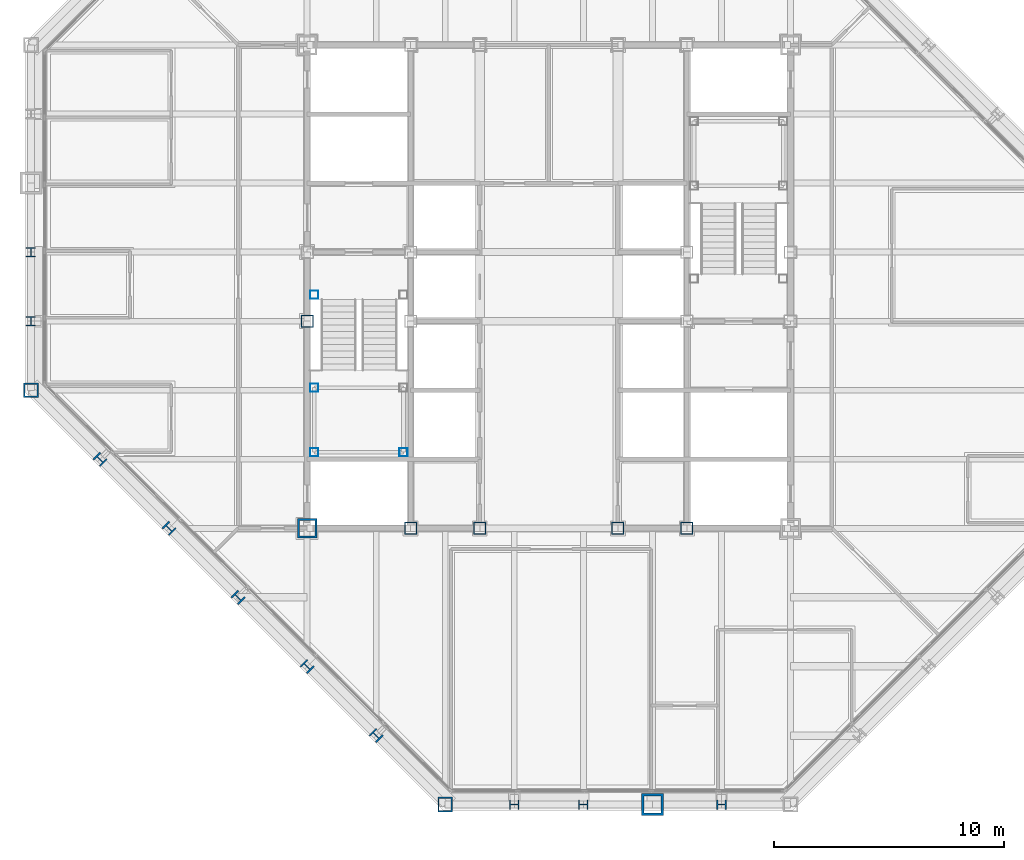
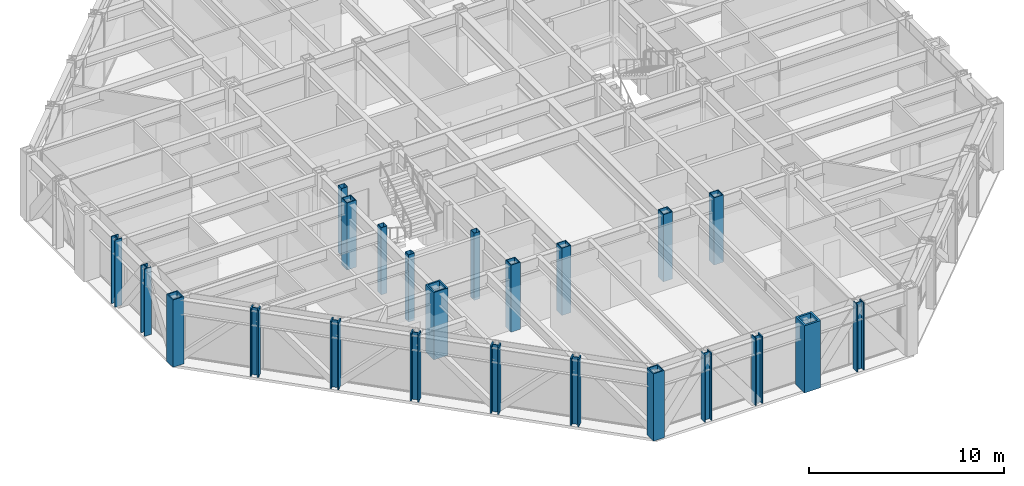
# One storey, part 1 of 16: 23 columns.
"""IFC4 building model written with IfcOpenShell, lengths in metres."""

import ifcopenshell
import ifcopenshell.guid

model = None  # the IFC model being written
_history = None  # IfcOwnerHistory: only IFC2X3 demands one
_inside = {}  # id of a spatial element -> (the spatial element, [elements in it])
_under = {}  # id of a project, library or spatial element -> (it, [spatial elements below it])
_declared = {}  # id of a project -> (the project, [libraries it declares])
_typed = {}  # id of a type object -> (the type object, [elements of that type])
_made_of = {}  # id of a material, layer set ... -> (it, [elements and type objects made of it])


def new_model(schema):
    """Start an empty IFC model of exactly this schema.

    Asked for "IFC4X3", IfcOpenShell would pick the latest addendum, in which some entities
    have other attributes; the version numbers below select the first issue.
    IFC2X3 requires an IfcOwnerHistory on every rooted entity: one is made here for all.
    """
    global model, _history
    if schema == "IFC4X3":
        model = ifcopenshell.file(schema_version=(4, 3, 0, 0))
    else:
        model = ifcopenshell.file(schema=schema)
    _inside.clear()
    _under.clear()
    _declared.clear()
    _typed.clear()
    _made_of.clear()
    _history = None
    if model.schema == "IFC2X3":
        org = make("IfcOrganization", Name="unknown")
        user = make(
            "IfcPersonAndOrganization",
            ThePerson=make("IfcPerson", FamilyName="unknown"),
            TheOrganization=org,
        )
        app = make(
            "IfcApplication",
            ApplicationDeveloper=org,
            Version="unknown",
            ApplicationFullName="unknown",
            ApplicationIdentifier="unknown",
        )
        _history = make(
            "IfcOwnerHistory",
            OwningUser=user,
            OwningApplication=app,
            ChangeAction="ADDED",
            CreationDate=0,
        )
    return model


def make(cls, **values):
    """One entity of the class cls with the attributes given. An attribute that is None is left unset."""
    return model.create_entity(
        cls, **{name: value for name, value in values.items() if value is not None}
    )


def rooted(cls, **values):
    """An entity with a GlobalId (a new one), such as an element, a storey or a relation."""
    return make(cls, GlobalId=ifcopenshell.guid.new(), OwnerHistory=_history, **values)


def si_unit(unit_type, name, prefix=None):
    """IfcSIUnit, for example si_unit("LENGTHUNIT", "METRE", prefix="MILLI")."""
    return make("IfcSIUnit", UnitType=unit_type, Prefix=prefix, Name=name)


def assignment(units):
    """IfcUnitAssignment: the units of a project."""
    return None if units is None else make("IfcUnitAssignment", Units=units)


def point(xyz):
    """IfcCartesianPoint."""
    return None if xyz is None else make("IfcCartesianPoint", Coordinates=xyz)


def direction(xyz):
    """IfcDirection."""
    return None if xyz is None else make("IfcDirection", DirectionRatios=xyz)


def frame(location, z_axis=None, x_axis=None):
    """IfcAxis2Placement3D, a coordinate frame: its origin and axes. An axis left out is left unset."""
    return make(
        "IfcAxis2Placement3D",
        Location=point(location),
        Axis=direction(z_axis),
        RefDirection=direction(x_axis),
    )


def frame_2d(location, x_axis=None):
    """IfcAxis2Placement2D, a coordinate frame in the plane: its origin and x axis."""
    return make(
        "IfcAxis2Placement2D", Location=point(location), RefDirection=direction(x_axis)
    )


def origin():
    """The frame at (0, 0, 0) with its axes left unset."""
    return frame((0.0, 0.0, 0.0))


def origin_2d():
    """The frame at (0, 0) in the plane with its x axis left unset."""
    return frame_2d((0.0, 0.0))


def place(relative_to, where):
    """IfcLocalPlacement: puts the frame where relative to a parent placement (None: the world)."""
    return make(
        "IfcLocalPlacement", PlacementRelTo=relative_to, RelativePlacement=where
    )


def context(
    kind, dimensions, precision=None, world=None, true_north=None, identifier=None
):
    """IfcGeometricRepresentationContext, for example the 3D "Model" context."""
    return make(
        "IfcGeometricRepresentationContext",
        ContextIdentifier=identifier,
        ContextType=kind,
        CoordinateSpaceDimension=dimensions,
        Precision=precision,
        WorldCoordinateSystem=world,
        TrueNorth=true_north,
    )


def subcontext(parent, identifier, kind, view, scale=None):
    """IfcGeometricRepresentationSubContext, for example "Body" below "Model"."""
    return make(
        "IfcGeometricRepresentationSubContext",
        ContextIdentifier=identifier,
        ContextType=kind,
        ParentContext=parent,
        TargetScale=scale,
        TargetView=view,
    )


def project(units=None, contexts=None):
    """IfcProject with its units and contexts."""
    return rooted(
        "IfcProject",
        Name="project",
        RepresentationContexts=contexts,
        UnitsInContext=assignment(units),
    )


def spatial(cls, under=None, at=None, **own):
    """A site, building, storey or space (cls), placed at a placement, below another one or the project."""
    s = rooted(cls, ObjectPlacement=at, **own)
    if under is not None:
        _under.setdefault(under.id(), (under, []))[1].append(s)
    return s


def profile(cls, at=None, kind="AREA", **sizes):
    """A parametric profile (cls). Its sizes go by their IFC names, for example OverallWidth=200.0."""
    return make(cls, ProfileType=kind, Position=at, **sizes)


def hollow_rectangle(**sizes):
    """IfcRectangleHollowProfileDef."""
    return profile("IfcRectangleHollowProfileDef", **sizes)


def i_section(**sizes):
    """IfcIShapeProfileDef."""
    return profile("IfcIShapeProfileDef", **sizes)


def extrude(swept, where, along, depth):
    """IfcExtrudedAreaSolid: the profile swept, set in the frame where, extruded along a direction by depth."""
    return make(
        "IfcExtrudedAreaSolid",
        SweptArea=swept,
        Position=where,
        ExtrudedDirection=direction(along),
        Depth=depth,
    )


def shape(context_of_items, identifier, shape_type, items):
    """IfcShapeRepresentation: the items that make up one representation, for example the "Body"."""
    return make(
        "IfcShapeRepresentation",
        ContextOfItems=context_of_items,
        RepresentationIdentifier=identifier,
        RepresentationType=shape_type,
        Items=items,
    )


def material(Name=None, Category=None):
    """IfcMaterial."""
    return make("IfcMaterial", Name=Name, Category=Category)


def material_profile(
    of_material, cross_section, Name=None, Category=None, Priority=None
):
    """IfcMaterialProfile: a cross section and its material."""
    return make(
        "IfcMaterialProfile",
        Name=Name,
        Material=of_material,
        Profile=cross_section,
        Priority=Priority,
        Category=Category,
    )


def profile_set(profiles, Name=None, composite=None):
    """IfcMaterialProfileSet."""
    return make(
        "IfcMaterialProfileSet",
        Name=Name,
        MaterialProfiles=profiles,
        CompositeProfile=composite,
    )


def made_of(thing, what):
    """Note that an element or type object is made of a material, layer set ...; save() writes the relation."""
    if what is not None:
        _made_of.setdefault(what.id(), (what, []))[1].append(thing)
    return thing


def type_object(cls, material=None, **own):
    """A type object (cls), such as IfcWallType, which elements share."""
    return made_of(rooted(cls, **own), material)


def element(
    cls,
    number,
    at=None,
    inside=None,
    cuts=None,
    type_object=None,
    material=None,
    context=None,
    identifier="Body",
    shape_type=None,
    held_by="IfcProductDefinitionShape",
    body=None,
    shapes=None,
    **own,
):
    """One element of the class cls, such as IfcWall. Its Tag is "e" and its number.

    at: its placement. inside: the storey or other place that contains it. cuts: it is an
    opening in that element (IfcRelVoidsElement). A single representation is given by context,
    identifier, shape_type and body (its items); several are given by shapes. held_by: the class
    of the entity that holds the representations. save() writes the other relations.
    """
    e = rooted(cls, Tag="e%d" % number, ObjectPlacement=at, **own)
    if body is not None:
        shapes = [shape(context, identifier, shape_type, body)]
    if shapes is not None:
        e.Representation = make(held_by, Representations=shapes)
    if inside is not None:
        _inside.setdefault(inside.id(), (inside, []))[1].append(e)
    if cuts is not None:
        rooted(
            "IfcRelVoidsElement", RelatingBuildingElement=cuts, RelatedOpeningElement=e
        )
    if type_object is not None:
        _typed.setdefault(type_object.id(), (type_object, []))[1].append(e)
    return made_of(e, material)


def aggregate(whole, parts):
    """IfcRelAggregates: a whole, such as a stair, and the parts it consists of."""
    return rooted("IfcRelAggregates", RelatingObject=whole, RelatedObjects=parts)


def save(model, path):
    """Write the relations noted so far, then the file.

    IfcRelAggregates (storeys below a building ...), IfcRelContainedInSpatialStructure (elements
    in a storey), IfcRelDefinesByType, IfcRelAssociatesMaterial and IfcRelDeclares: one each for
    every whole, place, type object, material and project.
    """
    for whole, parts in _under.values():
        aggregate(whole, parts)
    for where, things in _inside.values():
        rooted(
            "IfcRelContainedInSpatialStructure",
            RelatedElements=things,
            RelatingStructure=where,
        )
    for kind, things in _typed.values():
        rooted("IfcRelDefinesByType", RelatedObjects=things, RelatingType=kind)
    for what, things in _made_of.values():
        rooted("IfcRelAssociatesMaterial", RelatedObjects=things, RelatingMaterial=what)
    for by, libraries in _declared.values():
        rooted("IfcRelDeclares", RelatingContext=by, RelatedDefinitions=libraries)
    model.write(path)


model = new_model("IFC4")

# Units and contexts
model_context = context("Model", 3, precision=1e-05, world=origin(), true_north=direction((0.0, 1.0)))
body_context = subcontext(model_context, "Body", "Model", "MODEL_VIEW")
ifc_project = project(units=[si_unit("LENGTHUNIT", "METRE"), si_unit("AREAUNIT", "SQUARE_METRE"), si_unit("VOLUMEUNIT", "CUBIC_METRE"), si_unit("PLANEANGLEUNIT", "RADIAN"), si_unit("MASSUNIT", "GRAM", prefix="KILO")], contexts=[model_context])

# Site, building, storey
site_placement = place(None, origin())
site = spatial("IfcSite", under=ifc_project, at=site_placement, CompositionType="ELEMENT")
building_placement = place(site_placement, origin())
building = spatial("IfcBuilding", under=site, at=building_placement, Name="Chuquiago Exchange Tower", CompositionType="ELEMENT")
storey_placement = place(building_placement, frame((0.0, 0.0, 239.10009765625)))
storey = spatial("IfcBuildingStorey", under=building, at=storey_placement, Name="L53", CompositionType="ELEMENT", Elevation=239.10009765625)

# Columns
ifc_material_1 = material(Name="Steel ASTM A992", Category="steel")
ifc_material_profile_1 = material_profile(ifc_material_1, i_section(OverallWidth=0.408935546875, OverallDepth=0.424072265625, WebThickness=0.03271484375, FlangeThickness=0.052490234375, at=origin_2d()), Name="W14X283")
ifc_profile_set_1 = profile_set([ifc_material_profile_1], Name="Steel ASTM A992")
column_type_1 = type_object("IfcColumnType", Name="C8 W14X283", PredefinedType="COLUMN", material=ifc_profile_set_1)
for number, where, z_axis, x_axis, name in (
    (1, (21.0, 0.0, 0.0), (0.0, 0.0, 1.0), (0.0, -1.0, 0.0), "COL-L53-21_0"),
    (2, (24.0, 0.0, 0.0), (0.0, 0.0, 1.0), (0.0, -1.0, 0.0), "COL-L53-24_0"),
    (3, (30.0, 0.0, 0.0), (0.0, 0.0, 1.0), (0.0, -1.0, 0.0), "COL-L53-30_0"),
    (4, (0.0, 24.0, 0.0), (0.0, 0.0, 1.0), (-1.0, 0.0, 0.0), "COL-L53-0_24"),
    (5, (0.0, 21.0, 0.0), (0.0, 0.0, 1.0), (-1.0, 0.0, 0.0), "COL-L53-0_21"),
):
    element("IfcColumn", number, at=place(storey_placement, frame(where, z_axis=z_axis, x_axis=x_axis)), inside=storey, type_object=column_type_1, Name=name, PredefinedType="COLUMN", context=body_context, shape_type="SweptSolid", body=[
        extrude(i_section(OverallWidth=0.408935546875, OverallDepth=0.424072265625, WebThickness=0.03271484375, FlangeThickness=0.052490234375, at=origin_2d()), origin(), (0.0, 0.0, 1.0), 4.199951171875),
    ])
ifc_material_2 = material(Name="Steel ASTM A572 Grade 50", Category="steel")
ifc_material_profile_2 = material_profile(ifc_material_2, hollow_rectangle(XDim=0.85009765625, YDim=0.85009765625, WallThickness=0.0849609375, at=origin_2d()), Name="BOX850X850X85")
ifc_profile_set_2 = profile_set([ifc_material_profile_2], Name="Steel ASTM A572 Grade 50")
column_type_2 = type_object("IfcColumnType", Name="CC6 BOX850X850X85", PredefinedType="COLUMN", material=ifc_profile_set_2)
column_1_placement = place(storey_placement, frame((12.0, 12.0, 0.0), z_axis=(0.0, 0.0, 1.0), x_axis=(1.0, 0.0, 0.0)))
element("IfcColumn", 6, at=column_1_placement, inside=storey, type_object=column_type_2, Name="CCOL-L53-12_12", PredefinedType="COLUMN", context=body_context, shape_type="SweptSolid", body=[
    extrude(hollow_rectangle(XDim=0.85009765625, YDim=0.85009765625, WallThickness=0.0849609375, at=origin_2d()), origin(), (0.0, 0.0, 1.0), 4.199951171875),
])
ifc_material_3 = material(Name="Steel ASTM A572 Grade 50", Category="steel")
ifc_material_profile_3 = material_profile(ifc_material_3, hollow_rectangle(XDim=0.550048828125, YDim=0.550048828125, WallThickness=0.044921875, at=origin_2d()), Name="BOX550X550X45")
ifc_profile_set_3 = profile_set([ifc_material_profile_3], Name="Steel ASTM A572 Grade 50")
column_type_3 = type_object("IfcColumnType", Name="CC8 BOX550X550X45", PredefinedType="COLUMN", material=ifc_profile_set_3)
for number, where, z_axis, x_axis, name in (
    (7, (16.5, 12.0, 0.0), (0.0, 0.0, 1.0), (1.0, 0.0, 0.0), "CCOL-L53-16.5_12"),
    (8, (19.5, 12.0, 0.0), (0.0, 0.0, 1.0), (1.0, 0.0, 0.0), "CCOL-L53-19.5_12"),
    (9, (25.5, 12.0, 0.0), (0.0, 0.0, 1.0), (1.0, 0.0, 0.0), "CCOL-L53-25.5_12"),
    (10, (28.5, 12.0, 0.0), (0.0, 0.0, 1.0), (1.0, 0.0, 0.0), "CCOL-L53-28.5_12"),
    (11, (12.0, 21.0, 0.0), (0.0, 0.0, 1.0), (1.0, 0.0, 0.0), "CCOL-L53-12_21"),
):
    element("IfcColumn", number, at=place(storey_placement, frame(where, z_axis=z_axis, x_axis=x_axis)), inside=storey, type_object=column_type_3, Name=name, PredefinedType="COLUMN", context=body_context, shape_type="SweptSolid", body=[
        extrude(hollow_rectangle(XDim=0.550048828125, YDim=0.550048828125, WallThickness=0.044921875, at=origin_2d()), origin(), (0.0, 0.0, 1.0), 4.199951171875),
    ])
ifc_material_4 = material(Name="Steel ASTM A992", Category="steel")
ifc_material_profile_4 = material_profile(ifc_material_4, i_section(OverallWidth=0.421630859375, OverallDepth=0.46484375, WebThickness=0.044921875, FlangeThickness=0.072509765625, at=origin_2d()), Name="W14X398")
ifc_profile_set_4 = profile_set([ifc_material_profile_4], Name="Steel ASTM A992")
column_type_4 = type_object("IfcColumnType", Name="CK7 W14X398", PredefinedType="COLUMN", material=ifc_profile_set_4)
for number, where, z_axis, x_axis, name in (
    (12, (3.0, 15.0, 0.0), (0.0, 0.0, 1.0), (-0.707106781187, -0.707106781187, 0.0), "COL-L53-3_15"),
    (13, (6.0, 12.0, 0.0), (0.0, 0.0, 1.0), (-0.707106781187, -0.707106781187, 0.0), "COL-L53-6_12"),
    (14, (9.0, 9.0, 0.0), (0.0, 0.0, 1.0), (-0.707106781187, -0.707106781187, 0.0), "COL-L53-9_9"),
    (15, (12.0, 6.0, 0.0), (0.0, 0.0, 1.0), (-0.707106781187, -0.707106781187, 0.0), "COL-L53-12_6"),
    (16, (15.0, 3.0, 0.0), (0.0, 0.0, 1.0), (-0.707106781187, -0.707106781187, 0.0), "COL-L53-15_3"),
):
    element("IfcColumn", number, at=place(storey_placement, frame(where, z_axis=z_axis, x_axis=x_axis)), inside=storey, type_object=column_type_4, Name=name, PredefinedType="COLUMN", context=body_context, shape_type="SweptSolid", body=[
        extrude(i_section(OverallWidth=0.421630859375, OverallDepth=0.46484375, WebThickness=0.044921875, FlangeThickness=0.072509765625, at=origin_2d()), origin(), (0.0, 0.0, 1.0), 4.199951171875),
    ])
ifc_material_5 = material(Name="Steel ASTM A572 Grade 50", Category="steel")
ifc_material_profile_5 = material_profile(ifc_material_5, hollow_rectangle(XDim=0.64990234375, YDim=0.64990234375, WallThickness=0.06494140625, at=origin_2d()), Name="BOX650X650X65")
ifc_profile_set_5 = profile_set([ifc_material_profile_5], Name="Steel ASTM A572 Grade 50")
column_type_5 = type_object("IfcColumnType", Name="CN2 BOX650X650X65", PredefinedType="COLUMN", material=ifc_profile_set_5)
for number, where, z_axis, x_axis, name in (
    (17, (18.0, 0.0, 0.0), (0.0, 0.0, 1.0), (0.0, -1.0, 0.0), "COL-L53-18_0"),
    (18, (0.0, 18.0, 0.0), (0.0, 0.0, 1.0), (-1.0, 0.0, 0.0), "COL-L53-0_18"),
):
    element("IfcColumn", number, at=place(storey_placement, frame(where, z_axis=z_axis, x_axis=x_axis)), inside=storey, type_object=column_type_5, Name=name, PredefinedType="COLUMN", context=body_context, shape_type="SweptSolid", body=[
        extrude(hollow_rectangle(XDim=0.64990234375, YDim=0.64990234375, WallThickness=0.06494140625, at=origin_2d()), origin(), (0.0, 0.0, 1.0), 4.199951171875),
    ])
ifc_material_6 = material(Name="Steel ASTM A572 Grade 42", Category="steel")
ifc_material_profile_6 = material_profile(ifc_material_6, hollow_rectangle(XDim=0.949951171875, YDim=0.949951171875, WallThickness=0.110107421875, at=origin_2d()), Name="BOX950X950X110")
ifc_profile_set_6 = profile_set([ifc_material_profile_6], Name="Steel ASTM A572 Grade 42")
column_type_6 = type_object("IfcColumnType", Name="CT1 BOX950X950X110", PredefinedType="COLUMN", material=ifc_profile_set_6)
column_2_placement = place(storey_placement, frame((27.0, 0.0, 0.0), z_axis=(0.0, 0.0, 1.0), x_axis=(0.0, -1.0, 0.0)))
element("IfcColumn", 19, at=column_2_placement, inside=storey, type_object=column_type_6, Name="COL-L53-27_0", PredefinedType="COLUMN", context=body_context, shape_type="SweptSolid", body=[
    extrude(hollow_rectangle(XDim=0.949951171875, YDim=0.949951171875, WallThickness=0.110107421875, at=origin_2d()), origin(), (0.0, 0.0, 1.0), 4.199951171875),
])
ifc_material_7 = material(Name="Steel ASTM A500 Grade C", Category="steel")
ifc_material_profile_7 = material_profile(ifc_material_7, hollow_rectangle(XDim=0.355712890625, YDim=0.355712890625, WallThickness=0.0087890625, at=origin_2d()), Name="HSS14X14X3/8")
ifc_profile_set_7 = profile_set([ifc_material_profile_7], Name="Steel ASTM A500 Grade C")
column_type_7 = type_object("IfcColumnType", Name="PT1 HSS14X14X3/8", PredefinedType="COLUMN", material=ifc_profile_set_7)
for number, where, z_axis, x_axis, name in (
    (20, (12.31005859375, 15.31005859375, 0.0), (0.0, 0.0, 1.0), (1.0, 0.0, 0.0), "Stair ST1 L53 landing post"),
    (21, (16.18994140625, 15.31005859375, 0.0), (0.0, 0.0, 1.0), (1.0, 0.0, 0.0), "Stair ST1 L53 landing post"),
    (22, (12.31005859375, 18.110107421875, 0.0), (0.0, 0.0, 1.0), (1.0, 0.0, 0.0), "Stair ST1 L53 landing post"),
    (23, (12.31005859375, 22.14990234375, 0.0), (0.0, 0.0, 1.0), (1.0, 0.0, 0.0), "Stair ST1 L53 landing post"),
):
    element("IfcColumn", number, at=place(storey_placement, frame(where, z_axis=z_axis, x_axis=x_axis)), inside=storey, type_object=column_type_7, Name=name, PredefinedType="COLUMN", context=body_context, shape_type="SweptSolid", body=[
        extrude(hollow_rectangle(XDim=0.355712890625, YDim=0.355712890625, WallThickness=0.0087890625, at=origin_2d()), origin(), (0.0, 0.0, 1.0), 4.199951171875),
    ])

save(model, "model.ifc")
